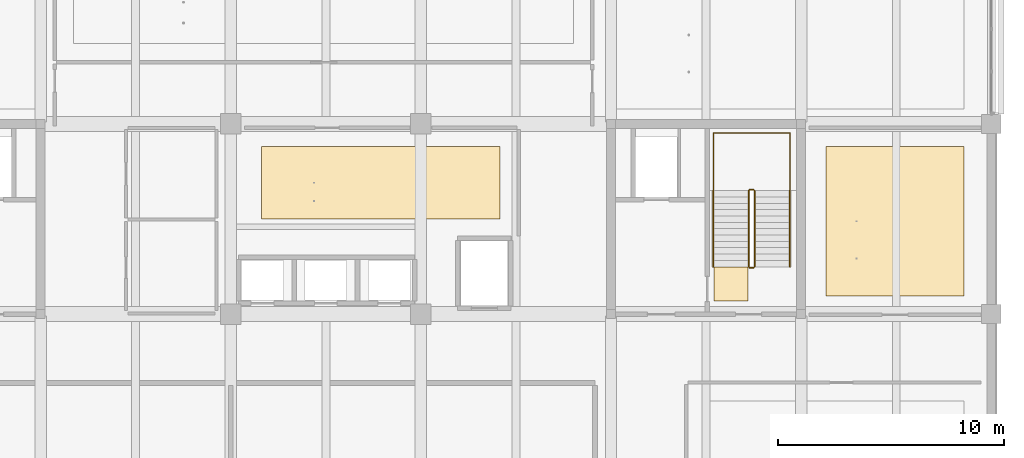
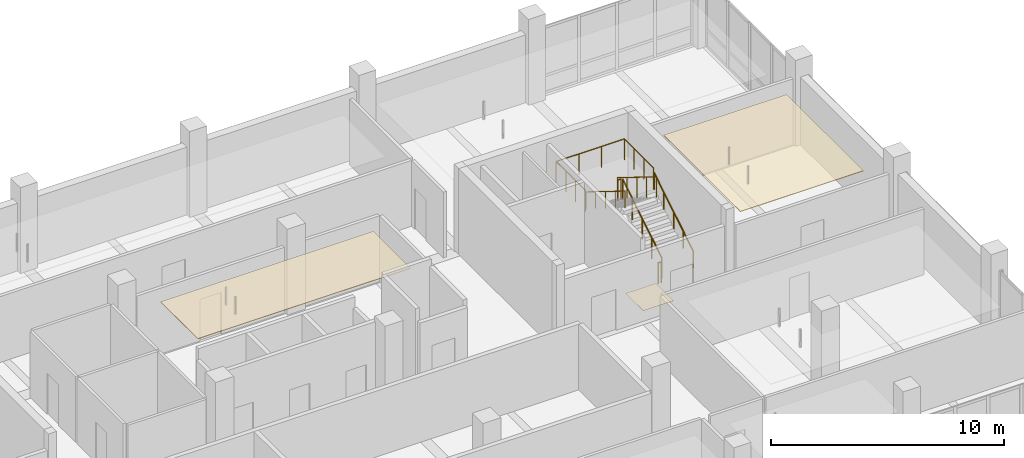
# One storey, part 30 of 36: 7 railings, 3 coverings.
"""IFC4 building model written with IfcOpenShell, lengths in metres."""

from ifc_helpers import new_model, si_unit, direction, frame, origin, origin_2d, place, context, subcontext, project, spatial, polyline, circle, outline, extrude, material, layer, layer_set, type_object, element, save


model = new_model("IFC4")

# Units and contexts
model_context = context("Model", 3, precision=1e-05, world=origin(), true_north=direction((0.0, 1.0)))
body_context = subcontext(model_context, "Body", "Model", "MODEL_VIEW")
ifc_project = project(units=[si_unit("LENGTHUNIT", "METRE"), si_unit("AREAUNIT", "SQUARE_METRE"), si_unit("VOLUMEUNIT", "CUBIC_METRE"), si_unit("PLANEANGLEUNIT", "RADIAN"), si_unit("MASSUNIT", "GRAM", prefix="KILO")], contexts=[model_context])

# Site, building, storey
site_placement = place(None, origin())
site = spatial("IfcSite", under=ifc_project, at=site_placement, CompositionType="ELEMENT")
building_placement = place(site_placement, origin())
building = spatial("IfcBuilding", under=site, at=building_placement, Name="Telukmera Botanical Conservatory", CompositionType="ELEMENT")
storey_placement = place(building_placement, frame((0.0, 0.0, 24.0)))
storey = spatial("IfcBuildingStorey", under=building, at=storey_placement, Name="L05", CompositionType="ELEMENT", Elevation=24.0)

# Coverings
ifc_material_1 = material(Name="Mineral fibre acoustic ceiling")
ifc_layer_1 = layer(ifc_material_1, 0.030029296875)
ifc_layer_set_1 = layer_set([ifc_layer_1], Name="Mineral fibre acoustic ceiling")
covering_type_1 = type_object("IfcCoveringType", Name="COV-CEIL-30", PredefinedType="CEILING", material=ifc_layer_set_1)
covering_1_placement = place(storey_placement, frame((0.0, 0.0, 3.320068359375)))
element("IfcCovering", 1, at=covering_1_placement, inside=storey, type_object=covering_type_1, Name="L05 Herbarium Imaging Darkroom Suspended Acoustic Ceiling", PredefinedType="CEILING", context=body_context, shape_type="SweptSolid", body=[
    extrude(outline(polyline([(76.949951171875, 30.199951171875), (87.5, 30.199951171875), (87.5, 33.39990234375), (76.949951171875, 33.39990234375), (76.949951171875, 30.199951171875)])), origin(), (0.0, 0.0, 1.0), 0.030029296875),
])
covering_2_placement = place(storey_placement, frame((0.0, 0.0, 3.320068359375)))
element("IfcCovering", 2, at=covering_2_placement, inside=storey, type_object=covering_type_1, Name="L05 Botanical Xylarium Archive Room Suspended Acoustic Ceiling", PredefinedType="CEILING", context=body_context, shape_type="SweptSolid", body=[
    extrude(outline(polyline([(101.89990234375, 26.800048828125), (108.0, 26.800048828125), (108.0, 33.39990234375), (101.89990234375, 33.39990234375), (101.89990234375, 26.800048828125)])), origin(), (0.0, 0.0, 1.0), 0.030029296875),
])
ifc_material_2 = material(Name="Honed granite non-slip flooring", Category="masonry")
ifc_layer_2 = layer(ifc_material_2, 0.011962890625)
ifc_layer_set_2 = layer_set([ifc_layer_2], Name="Honed granite non-slip flooring")
covering_type_2 = type_object("IfcCoveringType", Name="COV-FLR-12", PredefinedType="FLOORING", material=ifc_layer_set_2)
covering_3_placement = place(storey_placement, origin())
element("IfcCovering", 3, at=covering_3_placement, inside=storey, type_object=covering_type_2, Name="L05 ST2 Non-Slip Stair Landing Finish", PredefinedType="FLOORING", context=body_context, shape_type="SweptSolid", body=[
    extrude(outline(polyline([(98.449951171875, 26.570068359375), (98.449951171875, 28.0849609375), (96.949951171875, 28.0849609375), (96.949951171875, 26.570068359375), (98.449951171875, 26.570068359375)])), origin(), (0.0, 0.0, 1.0), 0.011962890625),
])

# Railings
ifc_material_3 = material(Name="Steel S355", Category="steel")
railing_type_1 = type_object("IfcRailingType", Name="RL-GUARD-1100", PredefinedType="GUARDRAIL", material=ifc_material_3)
railing_1_placement = place(storey_placement, frame((98.739990234375, 28.090087890625, 0.173095703125)))
element("IfcRailing", 4, at=railing_1_placement, inside=storey, type_object=railing_type_1, Name="L05 ST2 stair guard 1", PredefinedType="GUARDRAIL", context=body_context, shape_type="SweptSolid", body=[
    extrude(circle(Radius=0.02392578125, at=origin_2d()), frame((0.0, 0.0, 1.076171875), z_axis=(0.0, 0.850606129759, 0.525803396734), x_axis=(-1.0, 0.0, 0.0)), (0.0, 0.0, 1.0), 3.949951171875),
    extrude(circle(Radius=0.02099609375, at=origin_2d()), origin(), (0.0, 0.0, 1.0), 1.052001953125),
    extrude(circle(Radius=0.02099609375, at=origin_2d()), frame((0.0, 0.83984375, 0.519287109375)), (0.0, 0.0, 1.0), 1.052001953125),
    extrude(circle(Radius=0.02099609375, at=origin_2d()), frame((0.0, 1.679931640625, 1.03857421875)), (0.0, 0.0, 1.0), 1.052001953125),
    extrude(circle(Radius=0.02099609375, at=origin_2d()), frame((0.0, 2.52001953125, 1.5576171875)), (0.0, 0.0, 1.0), 1.052001953125),
    extrude(circle(Radius=0.02099609375, at=origin_2d()), frame((0.0, 3.35986328125, 2.076904296875)), (0.0, 0.0, 1.0), 1.052001953125),
])
railing_2_placement = place(storey_placement, frame((98.68994140625, 31.5, 2.25)))
element("IfcRailing", 5, at=railing_2_placement, inside=storey, type_object=railing_type_1, Name="L05 ST2 stair guard 2", PredefinedType="GUARDRAIL", context=body_context, shape_type="SweptSolid", body=[
    extrude(circle(Radius=0.02392578125, at=origin_2d()), frame((0.0, 0.0, 1.076171875), z_axis=(-1.0, 0.0, 0.0), x_axis=(0.0, -1.0, 0.0)), (0.0, 0.0, 1.0), 0.159912109375),
    extrude(circle(Radius=0.02099609375, at=origin_2d()), origin(), (0.0, 0.0, 1.0), 1.052001953125),
    extrude(circle(Radius=0.02099609375, at=origin_2d()), frame((-0.159912109375, 0.0, 0.0)), (0.0, 0.0, 1.0), 1.052001953125),
])
railing_3_placement = place(storey_placement, frame((98.47998046875, 31.449951171875, 2.423095703125)))
element("IfcRailing", 6, at=railing_3_placement, inside=storey, type_object=railing_type_1, Name="L05 ST2 stair guard 3", PredefinedType="GUARDRAIL", context=body_context, shape_type="SweptSolid", body=[
    extrude(circle(Radius=0.02392578125, at=origin_2d()), frame((0.0, 0.0, 1.076171875), z_axis=(0.0, -0.850606129759, 0.525803396734), x_axis=(1.0, 0.0, 0.0)), (0.0, 0.0, 1.0), 3.949951171875),
    extrude(circle(Radius=0.02099609375, at=origin_2d()), origin(), (0.0, 0.0, 1.0), 1.052001953125),
    extrude(circle(Radius=0.02099609375, at=origin_2d()), frame((0.0, -0.83984375, 0.519287109375)), (0.0, 0.0, 1.0), 1.052001953125),
    extrude(circle(Radius=0.02099609375, at=origin_2d()), frame((0.0, -1.679931640625, 1.03857421875)), (0.0, 0.0, 1.0), 1.052001953125),
    extrude(circle(Radius=0.02099609375, at=origin_2d()), frame((0.0, -2.52001953125, 1.5576171875)), (0.0, 0.0, 1.0), 1.052001953125),
    extrude(circle(Radius=0.02099609375, at=origin_2d()), frame((0.0, -3.35986328125, 2.076904296875)), (0.0, 0.0, 1.0), 1.052001953125),
])
railing_4_placement = place(storey_placement, frame((98.68994140625, 28.0400390625, 0.0)))
element("IfcRailing", 7, at=railing_4_placement, inside=storey, type_object=railing_type_1, Name="L05 ST2 stair guard 4", PredefinedType="GUARDRAIL", context=body_context, shape_type="SweptSolid", body=[
    extrude(circle(Radius=0.02392578125, at=origin_2d()), frame((0.0, 0.0, 1.076171875), z_axis=(-1.0, 0.0, 0.0), x_axis=(0.0, -1.0, 0.0)), (0.0, 0.0, 1.0), 0.159912109375),
    extrude(circle(Radius=0.02099609375, at=origin_2d()), origin(), (0.0, 0.0, 1.0), 1.052001953125),
    extrude(circle(Radius=0.02099609375, at=origin_2d()), frame((-0.159912109375, 0.0, 0.0)), (0.0, 0.0, 1.0), 1.052001953125),
])
railing_5_placement = place(storey_placement, frame((100.300048828125, 31.5, 2.25)))
element("IfcRailing", 8, at=railing_5_placement, inside=storey, type_object=railing_type_1, Name="L05 ST2 half-landing perimeter guard 1", PredefinedType="GUARDRAIL", context=body_context, shape_type="SweptSolid", body=[
    extrude(circle(Radius=0.02392578125, at=origin_2d()), frame((0.0, 0.0, 1.09619140625), z_axis=(0.0, 1.0, 0.0), x_axis=(-1.0, 0.0, 0.0)), (0.0, 0.0, 1.0), 2.5),
    extrude(circle(Radius=0.02392578125, at=origin_2d()), frame((0.0, 2.5, 1.09619140625), z_axis=(-1.0, 0.0, 0.0), x_axis=(0.0, -1.0, 0.0)), (0.0, 0.0, 1.0), 3.380126953125),
    extrude(circle(Radius=0.02392578125, at=origin_2d()), frame((-3.380126953125, 2.5, 1.09619140625), z_axis=(0.0, -1.0, 0.0), x_axis=(1.0, 0.0, 0.0)), (0.0, 0.0, 1.0), 2.5),
    extrude(circle(Radius=0.02099609375, at=origin_2d()), origin(), (0.0, 0.0, 1.0), 1.072021484375),
    extrude(circle(Radius=0.02099609375, at=origin_2d()), frame((0.0, 0.833251953125, 0.0)), (0.0, 0.0, 1.0), 1.072021484375),
    extrude(circle(Radius=0.02099609375, at=origin_2d()), frame((0.0, 1.666748046875, 0.0)), (0.0, 0.0, 1.0), 1.072021484375),
    extrude(circle(Radius=0.02099609375, at=origin_2d()), frame((0.0, 2.5, 0.0)), (0.0, 0.0, 1.0), 1.072021484375),
    extrude(circle(Radius=0.02099609375, at=origin_2d()), frame((-1.126708984375, 2.5, 0.0)), (0.0, 0.0, 1.0), 1.072021484375),
    extrude(circle(Radius=0.02099609375, at=origin_2d()), frame((-2.25341796875, 2.5, 0.0)), (0.0, 0.0, 1.0), 1.072021484375),
    extrude(circle(Radius=0.02099609375, at=origin_2d()), frame((-3.380126953125, 2.5, 0.0)), (0.0, 0.0, 1.0), 1.072021484375),
    extrude(circle(Radius=0.02099609375, at=origin_2d()), frame((-3.380126953125, 1.666748046875, 0.0)), (0.0, 0.0, 1.0), 1.072021484375),
    extrude(circle(Radius=0.02099609375, at=origin_2d()), frame((-3.380126953125, 0.833251953125, 0.0)), (0.0, 0.0, 1.0), 1.072021484375),
    extrude(circle(Radius=0.02099609375, at=origin_2d()), frame((-3.380126953125, 0.0, 0.0)), (0.0, 0.0, 1.0), 1.072021484375),
])
ifc_material_4 = material(Name="Stainless steel 316", Category="steel")
railing_type_2 = type_object("IfcRailingType", Name="RL-HAND-900", PredefinedType="HANDRAIL", material=ifc_material_4)
railing_6_placement = place(storey_placement, frame((100.300048828125, 28.090087890625, 0.173095703125)))
element("IfcRailing", 9, at=railing_6_placement, inside=storey, type_object=railing_type_2, Name="L05 ST2 stair handrail 1", PredefinedType="HANDRAIL", context=body_context, shape_type="SweptSolid", body=[
    extrude(circle(Radius=0.02392578125, at=origin_2d()), frame((0.0, 0.0, 0.8759765625), z_axis=(0.0, 0.850606129759, 0.525803396734), x_axis=(-1.0, 0.0, 0.0)), (0.0, 0.0, 1.0), 3.949951171875),
    extrude(circle(Radius=0.02099609375, at=origin_2d()), origin(), (0.0, 0.0, 1.0), 0.851806640625),
    extrude(circle(Radius=0.02099609375, at=origin_2d()), frame((0.0, 0.83984375, 0.519287109375)), (0.0, 0.0, 1.0), 0.851806640625),
    extrude(circle(Radius=0.02099609375, at=origin_2d()), frame((0.0, 1.679931640625, 1.03857421875)), (0.0, 0.0, 1.0), 0.851806640625),
    extrude(circle(Radius=0.02099609375, at=origin_2d()), frame((0.0, 2.52001953125, 1.5576171875)), (0.0, 0.0, 1.0), 0.851806640625),
    extrude(circle(Radius=0.02099609375, at=origin_2d()), frame((0.0, 3.35986328125, 2.076904296875)), (0.0, 0.0, 1.0), 0.851806640625),
])
railing_7_placement = place(storey_placement, frame((96.919921875, 31.449951171875, 2.423095703125)))
element("IfcRailing", 10, at=railing_7_placement, inside=storey, type_object=railing_type_2, Name="L05 ST2 stair handrail 2", PredefinedType="HANDRAIL", context=body_context, shape_type="SweptSolid", body=[
    extrude(circle(Radius=0.02392578125, at=origin_2d()), frame((0.0, 0.0, 0.8759765625), z_axis=(0.0, -0.850606129759, 0.525803396734), x_axis=(1.0, 0.0, 0.0)), (0.0, 0.0, 1.0), 3.949951171875),
    extrude(circle(Radius=0.02099609375, at=origin_2d()), origin(), (0.0, 0.0, 1.0), 0.851806640625),
    extrude(circle(Radius=0.02099609375, at=origin_2d()), frame((0.0, -0.83984375, 0.519287109375)), (0.0, 0.0, 1.0), 0.851806640625),
    extrude(circle(Radius=0.02099609375, at=origin_2d()), frame((0.0, -1.679931640625, 1.03857421875)), (0.0, 0.0, 1.0), 0.851806640625),
    extrude(circle(Radius=0.02099609375, at=origin_2d()), frame((0.0, -2.52001953125, 1.5576171875)), (0.0, 0.0, 1.0), 0.851806640625),
    extrude(circle(Radius=0.02099609375, at=origin_2d()), frame((0.0, -3.35986328125, 2.076904296875)), (0.0, 0.0, 1.0), 0.851806640625),
])

save(model, "model.ifc")
